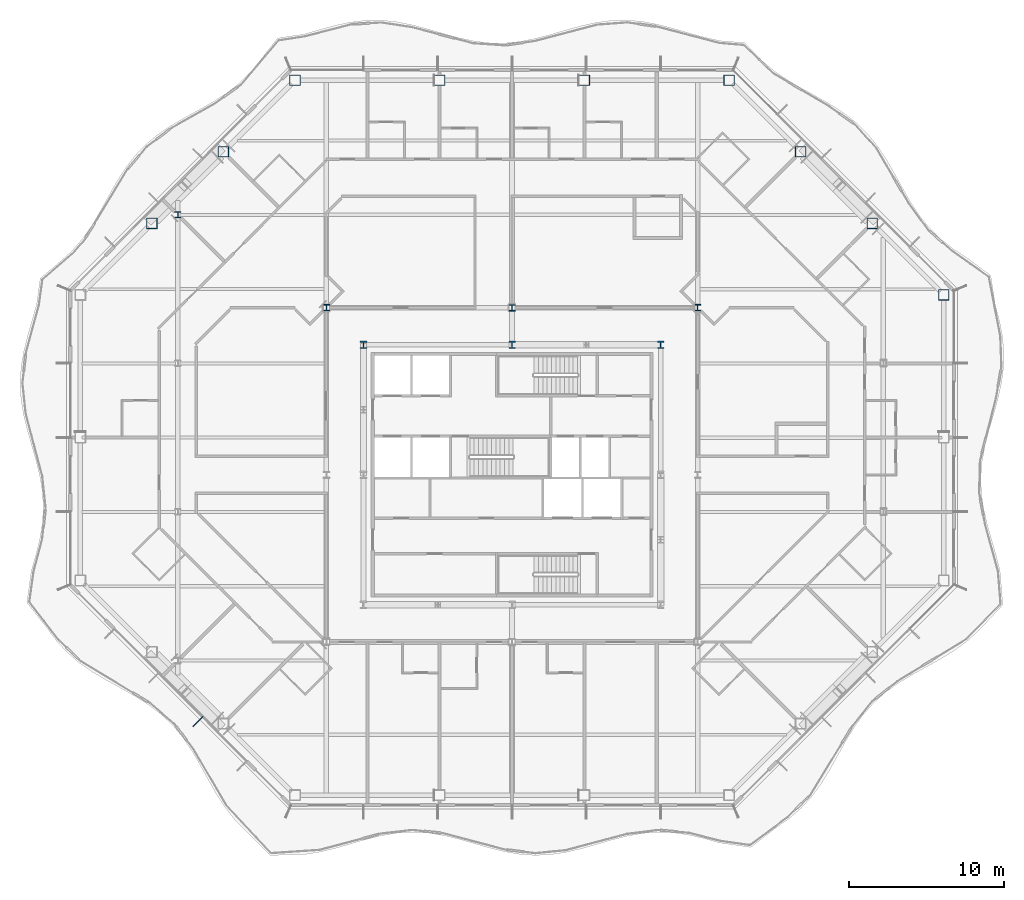
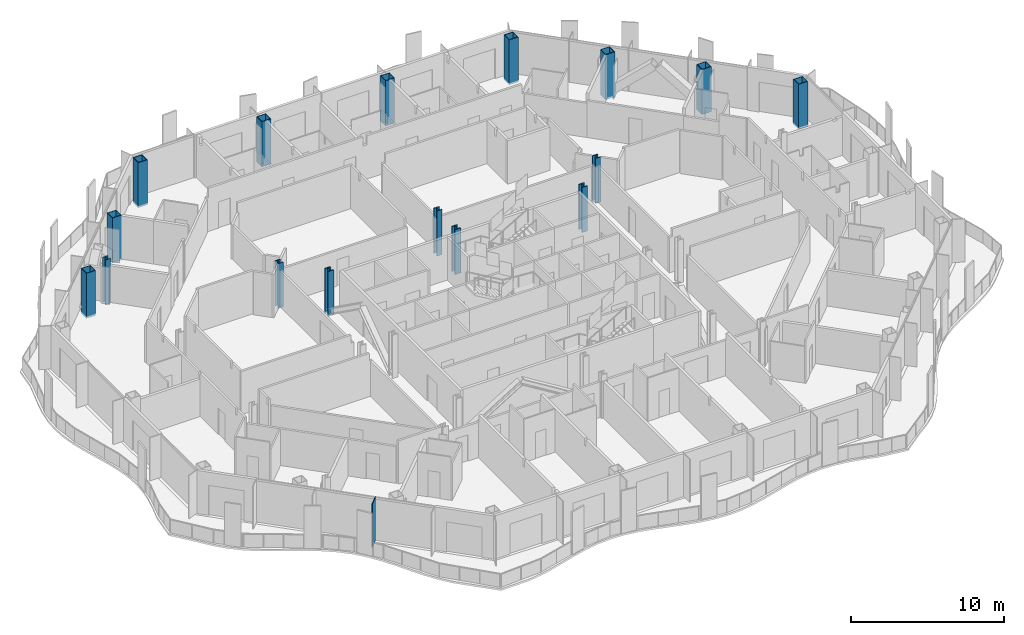
# One storey, part 2 of 21: 16 columns, 1 member, 1 element without a shape of its own.
"""IFC4 building model written with IfcOpenShell, lengths in metres."""

from ifc_helpers import new_model, si_unit, direction, frame, origin, origin_2d, place, context, subcontext, project, spatial, rectangle, hollow_rectangle, i_section, extrude, material, material_profile, profile_set, type_object, element, aggregate, save


model = new_model("IFC4")

# Units and contexts
model_context = context("Model", 3, precision=1e-05, world=origin(), true_north=direction((0.0, 1.0)))
body_context = subcontext(model_context, "Body", "Model", "MODEL_VIEW")
ifc_project = project(units=[si_unit("LENGTHUNIT", "METRE"), si_unit("AREAUNIT", "SQUARE_METRE"), si_unit("VOLUMEUNIT", "CUBIC_METRE"), si_unit("PLANEANGLEUNIT", "RADIAN"), si_unit("MASSUNIT", "GRAM", prefix="KILO")], contexts=[model_context])

# Site, building, storey
site_placement = place(None, origin())
site = spatial("IfcSite", under=ifc_project, at=site_placement, CompositionType="ELEMENT")
building_placement = place(site_placement, origin())
building = spatial("IfcBuilding", under=site, at=building_placement, Name="Cairn Pilgrim Tower", CompositionType="ELEMENT")
storey_placement = place(building_placement, frame((0.0, 0.0, 139.800048828125)))
storey = spatial("IfcBuildingStorey", under=building, at=storey_placement, Name="L34", CompositionType="ELEMENT", Elevation=139.800048828125)

# Columns
ifc_material_1 = material(Name="Structural steel S460M", Category="steel")
ifc_material_profile_1 = material_profile(ifc_material_1, hollow_rectangle(XDim=0.699951171875, YDim=0.699951171875, WallThickness=0.0400390625, at=origin_2d()), Name="BOX 700x700x40")
ifc_profile_set_1 = profile_set([ifc_material_profile_1], Name="Structural steel S460M")
column_type_1 = type_object("IfcColumnType", Name="BOX 700x700x40", PredefinedType="COLUMN", material=ifc_profile_set_1)
for number, where, z_axis, x_axis, name in (
    (1, (35.10009765625, 14.027099609375, -0.150146484375), (0.0, 0.0, 1.0), (1.0, 0.0, 0.0), "PC2-NE1"),
    (2, (30.4755859375, 18.651611328125, -0.150146484375), (0.0, 0.0, 1.0), (1.0, 0.0, 0.0), "PC2-NE2"),
    (3, (25.8515625, 23.275634765625, -0.150146484375), (0.0, 0.0, 1.0), (1.0, 0.0, 0.0), "PC2-NE3"),
    (4, (21.227294921875, 27.89990234375, -0.150146484375), (0.0, 0.0, 1.0), (1.0, 0.0, 0.0), "PC2-N1"),
    (5, (11.875732421875, 27.89990234375, -0.150146484375), (0.0, 0.0, 1.0), (1.0, 0.0, 0.0), "PC2-N2"),
    (6, (2.5244140625, 27.89990234375, -0.150146484375), (0.0, 0.0, 1.0), (1.0, 0.0, 0.0), "PC2-N3"),
    (7, (-6.8271484375, 27.89990234375, -0.150146484375), (0.0, 0.0, 1.0), (1.0, 0.0, 0.0), "PC2-NW1"),
    (8, (-11.451416015625, 23.275634765625, -0.150146484375), (0.0, 0.0, 1.0), (1.0, 0.0, 0.0), "PC2-NW2"),
    (9, (-16.07568359375, 18.651611328125, -0.150146484375), (0.0, 0.0, 1.0), (1.0, 0.0, 0.0), "PC2-NW3"),
):
    element("IfcColumn", number, at=place(storey_placement, frame(where, z_axis=z_axis, x_axis=x_axis)), inside=storey, type_object=column_type_1, Name=name, PredefinedType="COLUMN", context=body_context, shape_type="SweptSolid", body=[
        extrude(hollow_rectangle(XDim=0.699951171875, YDim=0.699951171875, WallThickness=0.0400390625, at=origin_2d()), origin(), (0.0, 0.0, 1.0), 3.60009765625),
    ])
ifc_material_2 = material(Name="Structural steel S355J2", Category="steel")
ifc_material_profile_2 = material_profile(ifc_material_2, i_section(OverallWidth=0.39892578125, OverallDepth=0.39306640625, WebThickness=0.022705078125, FlangeThickness=0.03662109375, FilletRadius=0.014892578125, at=origin_2d()), Name="HD 400x287")
ifc_profile_set_2 = profile_set([ifc_material_profile_2], Name="Structural steel S355J2")
column_type_2 = type_object("IfcColumnType", Name="HD 400x287", PredefinedType="COLUMN", material=ifc_profile_set_2)
column_placement = place(storey_placement, frame((-14.39990234375, 19.199951171875, -0.150146484375), z_axis=(0.0, 0.0, 1.0), x_axis=(1.0, 0.0, 0.0)))
element("IfcColumn", 10, at=column_placement, inside=storey, type_object=column_type_2, Name="WC-WW+4", PredefinedType="COLUMN", context=body_context, shape_type="SweptSolid", body=[
    extrude(i_section(OverallWidth=0.39892578125, OverallDepth=0.39306640625, WebThickness=0.022705078125, FlangeThickness=0.03662109375, FilletRadius=0.014892578125, at=origin_2d()), origin(), (0.0, 0.0, 1.0), 3.60009765625),
])
ifc_material_profile_3 = material_profile(ifc_material_1, i_section(OverallWidth=0.408935546875, OverallDepth=0.425048828125, WebThickness=0.03271484375, FlangeThickness=0.052490234375, FilletRadius=0.014892578125, at=origin_2d()), Name="HD 400x421")
ifc_profile_set_3 = profile_set([ifc_material_profile_3], Name="Structural steel S460M")
column_type_3 = type_object("IfcColumnType", Name="HD 400x421", PredefinedType="COLUMN", material=ifc_profile_set_3)
for number, where, z_axis, x_axis, name in (
    (11, (-4.800048828125, 13.199951171875, -0.150146484375), (0.0, 0.0, 1.0), (1.0, 0.0, 0.0), "IC-6"),
    (12, (7.199951171875, 13.199951171875, -0.150146484375), (0.0, 0.0, 1.0), (1.0, 0.0, 0.0), "IC-7"),
    (13, (19.199951171875, 13.199951171875, -0.150146484375), (0.0, 0.0, 1.0), (1.0, 0.0, 0.0), "IC-8"),
):
    element("IfcColumn", number, at=place(storey_placement, frame(where, z_axis=z_axis, x_axis=x_axis)), inside=storey, type_object=column_type_3, Name=name, PredefinedType="COLUMN", context=body_context, shape_type="SweptSolid", body=[
        extrude(i_section(OverallWidth=0.408935546875, OverallDepth=0.425048828125, WebThickness=0.03271484375, FlangeThickness=0.052490234375, FilletRadius=0.014892578125, at=origin_2d()), origin(), (0.0, 0.0, 1.0), 3.60009765625),
    ])
ifc_material_profile_4 = material_profile(ifc_material_1, i_section(OverallWidth=0.424072265625, OverallDepth=0.47412109375, WebThickness=0.047607421875, FlangeThickness=0.0771484375, FilletRadius=0.014892578125, at=origin_2d()), Name="HD 400x634")
ifc_profile_set_4 = profile_set([ifc_material_profile_4], Name="Structural steel S460M")
column_type_4 = type_object("IfcColumnType", Name="HD 400x634", PredefinedType="COLUMN", material=ifc_profile_set_4)
for number, where, z_axis, x_axis, name in (
    (14, (-2.39990234375, 10.800048828125, -0.150146484375), (0.0, 0.0, 1.0), (1.0, 0.0, 0.0), "KC-6"),
    (15, (7.199951171875, 10.800048828125, -0.150146484375), (0.0, 0.0, 1.0), (1.0, 0.0, 0.0), "KC-7"),
    (16, (16.800048828125, 10.800048828125, -0.150146484375), (0.0, 0.0, 1.0), (1.0, 0.0, 0.0), "KC-8"),
):
    element("IfcColumn", number, at=place(storey_placement, frame(where, z_axis=z_axis, x_axis=x_axis)), inside=storey, type_object=column_type_4, Name=name, PredefinedType="COLUMN", context=body_context, shape_type="SweptSolid", body=[
        extrude(i_section(OverallWidth=0.424072265625, OverallDepth=0.47412109375, WebThickness=0.047607421875, FlangeThickness=0.0771484375, FilletRadius=0.014892578125, at=origin_2d()), origin(), (0.0, 0.0, 1.0), 3.60009765625),
    ])

# Curtain wall, member
ifc_material_3 = material(Name="Aluminium alloy 6063-T6 bronze anodised with Bronze tinted laminated low-E glass 8+16+8.8", Category="aluminium")
curtain_wall_type = type_object("IfcCurtainWallType", Name="CHAMFER CORNER CURTAIN WALL", PredefinedType="NOTDEFINED", material=ifc_material_3)
curtain_wall_placement = place(storey_placement, origin())
curtain_wall = element("IfcCurtainWall", 17, at=curtain_wall_placement, inside=storey, type_object=curtain_wall_type, Name="Chamfer Corner Curtain Wall SW", PredefinedType="NOTDEFINED")
ifc_material_4 = material(Name="Aluminium alloy 6063-T6 bronze anodised", Category="aluminium")
ifc_material_profile_5 = material_profile(ifc_material_4, rectangle(XDim=0.89990234375, YDim=0.06005859375, at=origin_2d()), Name="FIN MULLION 60x900 BRONZE")
ifc_profile_set_5 = profile_set([ifc_material_profile_5], Name="Aluminium alloy 6063-T6 bronze anodised")
member_type = type_object("IfcMemberType", Name="FIN MULLION 60x900 BRONZE", PredefinedType="MULLION", material=ifc_profile_set_5)
member_placement = place(storey_placement, frame((-13.094970703125, -13.545654296875, 0.0), z_axis=(0.0, 0.0, 1.0), x_axis=(-0.707106781187, -0.707106781187, 0.0)))
member = element("IfcMember", 18, at=member_placement, type_object=member_type, Name="Fin mullion SW4", PredefinedType="MULLION", context=body_context, shape_type="SweptSolid", body=[
    extrude(rectangle(XDim=0.89990234375, YDim=0.06005859375, at=origin_2d()), origin(), (0.0, 0.0, 1.0), 3.449951171875),
])
aggregate(curtain_wall, [member])

save(model, "model.ifc")
